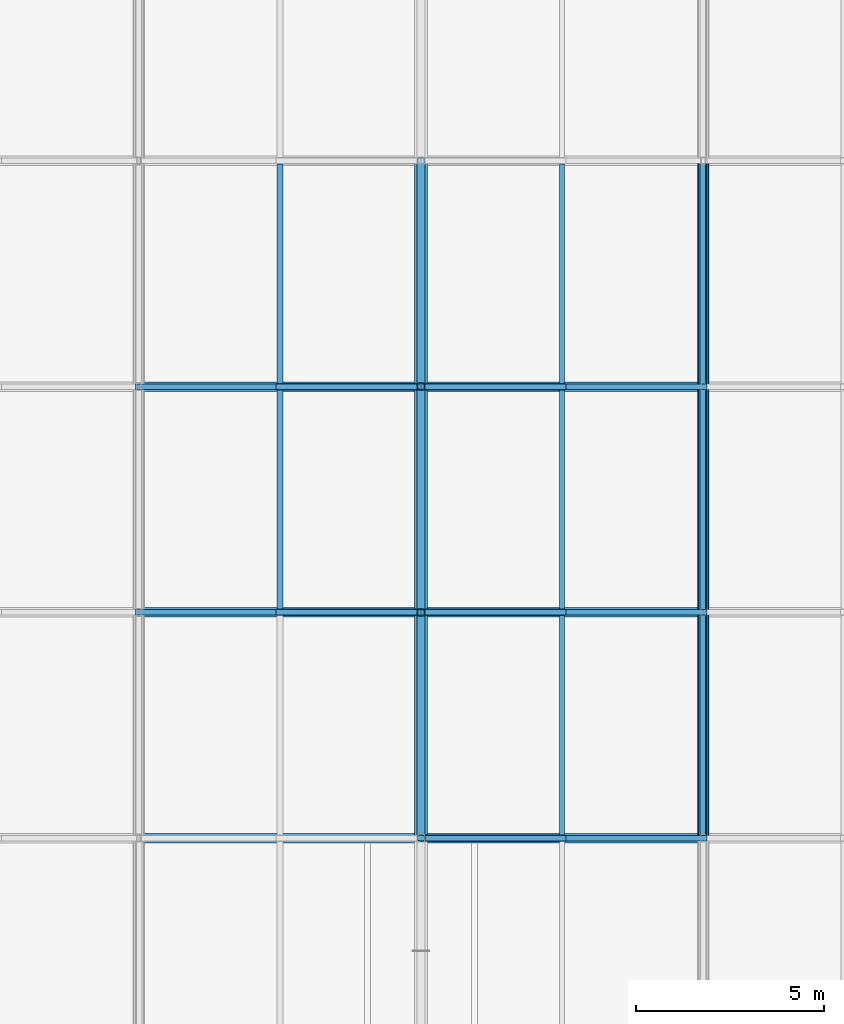
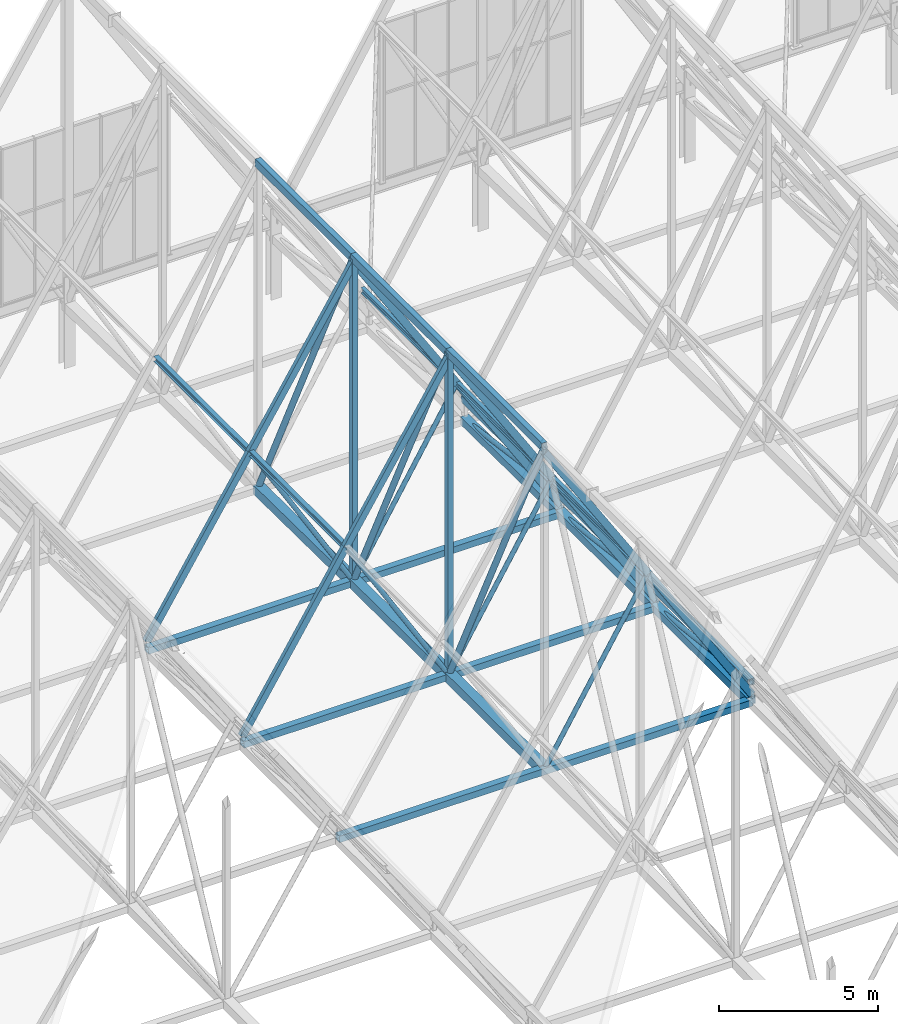
# One storey, part 106 of 324: 38 members, 5 beams.
"""IFC4 building model written with IfcOpenShell, lengths in metres."""

from ifc_helpers import new_model, si_unit, direction, frame, origin, origin_2d, place, context, subcontext, project, spatial, hollow_rectangle, hollow_circle, i_section, extrude, material, material_profile, profile_set, type_object, element, save


model = new_model("IFC4")

# Units and contexts
model_context = context("Model", 3, precision=1e-05, world=origin(), true_north=direction((0.0, 1.0)))
body_context = subcontext(model_context, "Body", "Model", "MODEL_VIEW")
ifc_project = project(units=[si_unit("LENGTHUNIT", "METRE"), si_unit("AREAUNIT", "SQUARE_METRE"), si_unit("VOLUMEUNIT", "CUBIC_METRE"), si_unit("PLANEANGLEUNIT", "RADIAN"), si_unit("MASSUNIT", "GRAM", prefix="KILO")], contexts=[model_context])

# Site, building, storey
site_placement = place(None, origin())
site = spatial("IfcSite", under=ifc_project, at=site_placement, CompositionType="ELEMENT")
building_placement = place(site_placement, origin())
building = spatial("IfcBuilding", under=site, at=building_placement, Name="Solvenia Promenade Tram Depot", CompositionType="ELEMENT")
storey_placement = place(building_placement, frame((0.0, 0.0, 4.5)))
storey = spatial("IfcBuildingStorey", under=building, at=storey_placement, Name="L01", CompositionType="ELEMENT", Elevation=4.5)

# Members
ifc_material_1 = material(Name="Structural steel ASTM A500 Gr. C", Category="steel")
ifc_material_profile_1 = material_profile(ifc_material_1, hollow_circle(Radius=0.109619140625, WallThickness=0.008056640625, at=origin_2d()), Name="CHS219.1x8", Category="steel")
ifc_profile_set_1 = profile_set([ifc_material_profile_1], Name="Structural steel ASTM A500 Gr. C")
member_type_1 = type_object("IfcMemberType", Name="Brace-CHS219x8", PredefinedType="BRACE", material=ifc_profile_set_1)
member_1_placement = place(storey_placement, frame((22.5, 102.0, 2.656005859375), z_axis=(0.0, -0.436015794582, 0.899939012864), x_axis=(1.0, 0.0, 0.0)))
element("IfcMember", 1, at=member_1_placement, inside=storey, type_object=member_type_1, Name="Arched Truss T04 Web Diagonal S06", PredefinedType="BRACE", context=body_context, shape_type="SweptSolid", body=[
    extrude(hollow_circle(Radius=0.109619140625, WallThickness=0.008056640625, at=origin_2d()), origin(), (0.0, 0.0, 1.0), 13.760986328125),
])
member_2_placement = place(storey_placement, frame((22.5, 108.0, 2.614013671875), z_axis=(0.0, -0.43482130343, 0.900516759468), x_axis=(1.0, 0.0, 0.0)))
element("IfcMember", 2, at=member_2_placement, inside=storey, type_object=member_type_1, Name="Arched Truss T04 Web Diagonal S07", PredefinedType="BRACE", context=body_context, shape_type="SweptSolid", body=[
    extrude(hollow_circle(Radius=0.109619140625, WallThickness=0.008056640625, at=origin_2d()), origin(), (0.0, 0.0, 1.0), 13.798828125),
])
member_3_placement = place(storey_placement, frame((22.5, 114.0, 2.5439453125), z_axis=(0.0, -0.432840998382, 0.901470282438), x_axis=(1.0, 0.0, 0.0)))
element("IfcMember", 3, at=member_3_placement, inside=storey, type_object=member_type_1, Name="Arched Truss T04 Web Diagonal S08", PredefinedType="BRACE", context=body_context, shape_type="SweptSolid", body=[
    extrude(hollow_circle(Radius=0.109619140625, WallThickness=0.008056640625, at=origin_2d()), origin(), (0.0, 0.0, 1.0), 13.86181640625),
])
ifc_material_profile_2 = material_profile(ifc_material_1, hollow_rectangle(XDim=0.14990234375, YDim=0.25, WallThickness=0.010009765625, at=origin_2d()), Name="HSS250x150x10", Category="steel")
ifc_profile_set_2 = profile_set([ifc_material_profile_2], Name="Structural steel ASTM A500 Gr. C")
member_type_2 = type_object("IfcMemberType", Name="Chord-HSS250x150x10", PredefinedType="CHORD", material=ifc_profile_set_2)
member_4_placement = place(storey_placement, frame((22.5, 96.0, 14.83251953125), z_axis=(0.533522444929, 0.0, -0.845785907164), x_axis=(0.0, 1.0, 0.0)))
element("IfcMember", 4, at=member_4_placement, inside=storey, type_object=member_type_2, Name="Zigzag Gable 02 East Upper Rafter", PredefinedType="CHORD", context=body_context, shape_type="SweptSolid", body=[
    extrude(hollow_rectangle(XDim=0.14990234375, YDim=0.25, WallThickness=0.010009765625, at=origin_2d()), origin(), (0.0, 0.0, 1.0), 7.02880859375),
])
for number, where, z_axis, x_axis, name in (
    (5, (26.25, 96.0, 8.8876953125), (0.533506771487, 0.0, -0.845795793781), (0.0, 1.0, 0.0), "Zigzag Gable 02 East Lower Rafter"),
    (6, (15.0, 102.0, 2.942626953125), (0.533506771487, 0.0, 0.845795793781), (0.0, 1.0, 0.0), "Zigzag Gable 02 West Lower Rafter"),
):
    element("IfcMember", number, at=place(storey_placement, frame(where, z_axis=z_axis, x_axis=x_axis)), inside=storey, type_object=member_type_2, Name=name, PredefinedType="CHORD", context=body_context, shape_type="SweptSolid", body=[
        extrude(hollow_rectangle(XDim=0.14990234375, YDim=0.25, WallThickness=0.010009765625, at=origin_2d()), origin(), (0.0, 0.0, 1.0), 7.029052734375),
    ])
for number, where, z_axis, x_axis, name in (
    (7, (18.75, 102.0, 8.8876953125), (0.533522444929, 0.0, 0.845785907164), (0.0, 1.0, 0.0), "Zigzag Gable 02 West Upper Rafter"),
    (8, (22.5, 102.0, 14.83251953125), (0.533522444929, 0.0, -0.845785907164), (0.0, 1.0, 0.0), "Zigzag Gable 02 East Upper Rafter"),
):
    element("IfcMember", number, at=place(storey_placement, frame(where, z_axis=z_axis, x_axis=x_axis)), inside=storey, type_object=member_type_2, Name=name, PredefinedType="CHORD", context=body_context, shape_type="SweptSolid", body=[
        extrude(hollow_rectangle(XDim=0.14990234375, YDim=0.25, WallThickness=0.010009765625, at=origin_2d()), origin(), (0.0, 0.0, 1.0), 7.02880859375),
    ])
for number, where, z_axis, x_axis, name in (
    (9, (26.25, 102.0, 8.8876953125), (0.533506771487, 0.0, -0.845795793781), (0.0, 1.0, 0.0), "Zigzag Gable 02 East Lower Rafter"),
    (10, (15.0, 108.0, 2.942626953125), (0.533506771487, 0.0, 0.845795793781), (0.0, 1.0, 0.0), "Zigzag Gable 02 West Lower Rafter"),
):
    element("IfcMember", number, at=place(storey_placement, frame(where, z_axis=z_axis, x_axis=x_axis)), inside=storey, type_object=member_type_2, Name=name, PredefinedType="CHORD", context=body_context, shape_type="SweptSolid", body=[
        extrude(hollow_rectangle(XDim=0.14990234375, YDim=0.25, WallThickness=0.010009765625, at=origin_2d()), origin(), (0.0, 0.0, 1.0), 7.029052734375),
    ])
for number, where, z_axis, x_axis, name in (
    (11, (18.75, 108.0, 8.8876953125), (0.533522444929, 0.0, 0.845785907164), (0.0, 1.0, 0.0), "Zigzag Gable 02 West Upper Rafter"),
    (12, (22.5, 108.0, 14.83251953125), (0.533522444929, 0.0, -0.845785907164), (0.0, 1.0, 0.0), "Zigzag Gable 02 East Upper Rafter"),
):
    element("IfcMember", number, at=place(storey_placement, frame(where, z_axis=z_axis, x_axis=x_axis)), inside=storey, type_object=member_type_2, Name=name, PredefinedType="CHORD", context=body_context, shape_type="SweptSolid", body=[
        extrude(hollow_rectangle(XDim=0.14990234375, YDim=0.25, WallThickness=0.010009765625, at=origin_2d()), origin(), (0.0, 0.0, 1.0), 7.02880859375),
    ])
member_5_placement = place(storey_placement, frame((26.25, 108.0, 8.8876953125), z_axis=(0.533506771487, 0.0, -0.845795793781), x_axis=(0.0, 1.0, 0.0)))
element("IfcMember", 13, at=member_5_placement, inside=storey, type_object=member_type_2, Name="Zigzag Gable 02 East Lower Rafter", PredefinedType="CHORD", context=body_context, shape_type="SweptSolid", body=[
    extrude(hollow_rectangle(XDim=0.14990234375, YDim=0.25, WallThickness=0.010009765625, at=origin_2d()), origin(), (0.0, 0.0, 1.0), 7.029052734375),
])
ifc_material_profile_3 = material_profile(ifc_material_1, hollow_rectangle(XDim=0.25, YDim=0.25, WallThickness=0.010009765625, at=origin_2d()), Name="HSS250x250x10", Category="steel")
ifc_profile_set_3 = profile_set([ifc_material_profile_3], Name="Structural steel ASTM A500 Gr. C")
member_type_3 = type_object("IfcMemberType", Name="Chord-HSS250x250x10", PredefinedType="CHORD", material=ifc_profile_set_3)
for number, where, z_axis, x_axis, name in (
    (14, (30.0, 96.0, 3.3798828125), (0.0, 1.0, 0.0), (-1.0, 0.0, 0.0), "Arched Truss T05 Upper Chord S06"),
    (15, (30.0, 102.0, 3.3798828125), (0.0, 1.0, 0.0), (-1.0, 0.0, 0.0), "Arched Truss T05 Upper Chord S07"),
    (16, (30.0, 108.0, 3.3798828125), (0.0, 1.0, 0.0), (-1.0, 0.0, 0.0), "Arched Truss T05 Upper Chord S08"),
):
    element("IfcMember", number, at=place(storey_placement, frame(where, z_axis=z_axis, x_axis=x_axis)), inside=storey, type_object=member_type_3, Name=name, PredefinedType="CHORD", context=body_context, shape_type="SweptSolid", body=[
        extrude(hollow_rectangle(XDim=0.25, YDim=0.25, WallThickness=0.010009765625, at=origin_2d()), origin(), (0.0, 0.0, 1.0), 6.0),
    ])
for number, where, z_axis, x_axis, name in (
    (17, (15.0, 96.0, 2.669921875), (1.0, 0.0, 0.0), (0.0, 1.0, 0.0), "Bottom-Chord Catenary Lateral Tie 014"),
    (18, (15.0, 102.0, 2.656005859375), (1.0, 0.0, 0.0), (0.0, 1.0, 0.0), "Bottom-Chord Catenary Lateral Tie 015"),
    (19, (15.0, 108.0, 2.614013671875), (1.0, 0.0, 0.0), (0.0, 1.0, 0.0), "Bottom-Chord Catenary Lateral Tie 016"),
):
    element("IfcMember", number, at=place(storey_placement, frame(where, z_axis=z_axis, x_axis=x_axis)), inside=storey, type_object=member_type_3, Name=name, PredefinedType="CHORD", context=body_context, shape_type="SweptSolid", body=[
        extrude(hollow_rectangle(XDim=0.25, YDim=0.25, WallThickness=0.010009765625, at=origin_2d()), origin(), (0.0, 0.0, 1.0), 15.0),
    ])
ifc_material_profile_4 = material_profile(ifc_material_1, hollow_rectangle(XDim=0.199951171875, YDim=0.300048828125, WallThickness=0.012451171875, at=origin_2d()), Name="HSS300x200x12.5", Category="steel")
ifc_profile_set_4 = profile_set([ifc_material_profile_4], Name="Structural steel ASTM A500 Gr. C")
member_type_4 = type_object("IfcMemberType", Name="Chord-HSS300x200x12", PredefinedType="CHORD", material=ifc_profile_set_4)
for number, where, z_axis, x_axis, name in (
    (20, (22.5, 96.0, 15.0400390625), (0.0, 1.0, 0.0), (-1.0, 0.0, 0.0), "Arched Truss T04 Upper Chord S06"),
    (21, (22.5, 102.0, 15.0400390625), (0.0, 1.0, 0.0), (-1.0, 0.0, 0.0), "Arched Truss T04 Upper Chord S07"),
    (22, (22.5, 108.0, 15.0400390625), (0.0, 1.0, 0.0), (-1.0, 0.0, 0.0), "Arched Truss T04 Upper Chord S08"),
):
    element("IfcMember", number, at=place(storey_placement, frame(where, z_axis=z_axis, x_axis=x_axis)), inside=storey, type_object=member_type_4, Name=name, PredefinedType="CHORD", context=body_context, shape_type="SweptSolid", body=[
        extrude(hollow_rectangle(XDim=0.199951171875, YDim=0.300048828125, WallThickness=0.012451171875, at=origin_2d()), origin(), (0.0, 0.0, 1.0), 6.0),
    ])
ifc_material_profile_5 = material_profile(ifc_material_1, hollow_rectangle(XDim=0.300048828125, YDim=0.300048828125, WallThickness=0.012451171875, at=origin_2d()), Name="HSS300x300x12.5", Category="steel")
ifc_profile_set_5 = profile_set([ifc_material_profile_5], Name="Structural steel ASTM A500 Gr. C")
member_type_5 = type_object("IfcMemberType", Name="Chord-HSS300x300x12", PredefinedType="CHORD", material=ifc_profile_set_5)
member_6_placement = place(storey_placement, frame((30.0, 96.0, 2.669921875), z_axis=(0.0, 0.999997310351, -0.002319329699), x_axis=(-1.0, 0.0, 0.0)))
element("IfcMember", 23, at=member_6_placement, inside=storey, type_object=member_type_5, Name="Arched Truss T05 Bottom Chord S06", PredefinedType="CHORD", context=body_context, shape_type="SweptSolid", body=[
    extrude(hollow_rectangle(XDim=0.300048828125, YDim=0.300048828125, WallThickness=0.012451171875, at=origin_2d()), origin(), (0.0, 0.0, 1.0), 6.0),
])
member_7_placement = place(storey_placement, frame((30.0, 102.0, 2.656005859375), z_axis=(0.0, 0.999975510013, -0.006998526519), x_axis=(-1.0, 0.0, 0.0)))
element("IfcMember", 24, at=member_7_placement, inside=storey, type_object=member_type_5, Name="Arched Truss T05 Bottom Chord S07", PredefinedType="CHORD", context=body_context, shape_type="SweptSolid", body=[
    extrude(hollow_rectangle(XDim=0.300048828125, YDim=0.300048828125, WallThickness=0.012451171875, at=origin_2d()), origin(), (0.0, 0.0, 1.0), 6.000244140625),
])
member_8_placement = place(storey_placement, frame((30.0, 108.0, 2.614013671875), z_axis=(0.0, 0.999931818432, -0.011677263667), x_axis=(-1.0, 0.0, 0.0)))
element("IfcMember", 25, at=member_8_placement, inside=storey, type_object=member_type_5, Name="Arched Truss T05 Bottom Chord S08", PredefinedType="CHORD", context=body_context, shape_type="SweptSolid", body=[
    extrude(hollow_rectangle(XDim=0.300048828125, YDim=0.300048828125, WallThickness=0.012451171875, at=origin_2d()), origin(), (0.0, 0.0, 1.0), 6.00048828125),
])
ifc_material_profile_6 = material_profile(ifc_material_1, hollow_rectangle(XDim=0.35009765625, YDim=0.35009765625, WallThickness=0.01611328125, at=origin_2d()), Name="HSS350x350x16", Category="steel")
ifc_profile_set_6 = profile_set([ifc_material_profile_6], Name="Structural steel ASTM A500 Gr. C")
member_type_6 = type_object("IfcMemberType", Name="Chord-HSS350x350x16", PredefinedType="CHORD", material=ifc_profile_set_6)
member_9_placement = place(storey_placement, frame((22.5, 96.0, 2.669921875), z_axis=(0.0, 0.999997310351, -0.002319329699), x_axis=(-1.0, 0.0, 0.0)))
element("IfcMember", 26, at=member_9_placement, inside=storey, type_object=member_type_6, Name="Arched Truss T04 Bottom Chord S06", PredefinedType="CHORD", context=body_context, shape_type="SweptSolid", body=[
    extrude(hollow_rectangle(XDim=0.35009765625, YDim=0.35009765625, WallThickness=0.01611328125, at=origin_2d()), origin(), (0.0, 0.0, 1.0), 6.0),
])
member_10_placement = place(storey_placement, frame((22.5, 102.0, 2.656005859375), z_axis=(0.0, 0.999975510013, -0.006998526519), x_axis=(-1.0, 0.0, 0.0)))
element("IfcMember", 27, at=member_10_placement, inside=storey, type_object=member_type_6, Name="Arched Truss T04 Bottom Chord S07", PredefinedType="CHORD", context=body_context, shape_type="SweptSolid", body=[
    extrude(hollow_rectangle(XDim=0.35009765625, YDim=0.35009765625, WallThickness=0.01611328125, at=origin_2d()), origin(), (0.0, 0.0, 1.0), 6.000244140625),
])
member_11_placement = place(storey_placement, frame((22.5, 108.0, 2.614013671875), z_axis=(0.0, 0.999931818432, -0.011677263667), x_axis=(-1.0, 0.0, 0.0)))
element("IfcMember", 28, at=member_11_placement, inside=storey, type_object=member_type_6, Name="Arched Truss T04 Bottom Chord S08", PredefinedType="CHORD", context=body_context, shape_type="SweptSolid", body=[
    extrude(hollow_rectangle(XDim=0.35009765625, YDim=0.35009765625, WallThickness=0.01611328125, at=origin_2d()), origin(), (0.0, 0.0, 1.0), 6.00048828125),
])
ifc_material_profile_7 = material_profile(ifc_material_1, hollow_rectangle(XDim=0.199951171875, YDim=0.199951171875, WallThickness=0.010009765625, at=origin_2d()), Name="HSS200x200x10", Category="steel")
ifc_profile_set_7 = profile_set([ifc_material_profile_7], Name="Structural steel ASTM A500 Gr. C")
member_type_7 = type_object("IfcMemberType", Name="Post-HSS200x200x10", PredefinedType="POST", material=ifc_profile_set_7)
member_12_placement = place(storey_placement, frame((22.5, 102.0, 2.656005859375), z_axis=(0.0, 0.0, 1.0), x_axis=(1.0, 0.0, 0.0)))
element("IfcMember", 29, at=member_12_placement, inside=storey, type_object=member_type_7, Name="Arched Truss T04 Web Post S06", PredefinedType="POST", context=body_context, shape_type="SweptSolid", body=[
    extrude(hollow_rectangle(XDim=0.199951171875, YDim=0.199951171875, WallThickness=0.010009765625, at=origin_2d()), origin(), (0.0, 0.0, 1.0), 12.384033203125),
])
member_13_placement = place(storey_placement, frame((22.5, 108.0, 2.614013671875), z_axis=(0.0, 0.0, 1.0), x_axis=(1.0, 0.0, 0.0)))
element("IfcMember", 30, at=member_13_placement, inside=storey, type_object=member_type_7, Name="Arched Truss T04 Web Post S07", PredefinedType="POST", context=body_context, shape_type="SweptSolid", body=[
    extrude(hollow_rectangle(XDim=0.199951171875, YDim=0.199951171875, WallThickness=0.010009765625, at=origin_2d()), origin(), (0.0, 0.0, 1.0), 12.426025390625),
])

# Beams
ifc_material_2 = material(Name="Structural steel ASTM A992 Gr. 50", Category="steel")
ifc_material_profile_8 = material_profile(ifc_material_2, i_section(OverallWidth=0.133056640625, OverallDepth=0.20703125, WebThickness=0.005859375, FlangeThickness=0.00830078125, FilletRadius=0.009033203125, at=origin_2d()), Name="W200x27", Category="steel")
ifc_profile_set_8 = profile_set([ifc_material_profile_8], Name="Structural steel ASTM A992 Gr. 50")
beam_type_1 = type_object("IfcBeamType", Name="Purlin-W200x27", PredefinedType="USERDEFINED", material=ifc_profile_set_8)
for number, where, z_axis, x_axis, name in (
    (31, (26.25, 96.0849609375, 8.8857421875), (0.0, 1.0, 0.0), (-1.0, 0.0, 0.0), "Gable Roof Purlin E-0032"),
    (32, (26.25, 102.0849609375, 8.8857421875), (0.0, 1.0, 0.0), (-1.0, 0.0, 0.0), "Gable Roof Purlin E-0034"),
    (33, (26.25, 108.0849609375, 8.8857421875), (0.0, 1.0, 0.0), (-1.0, 0.0, 0.0), "Gable Roof Purlin E-0036"),
):
    element("IfcBeam", number, at=place(storey_placement, frame(where, z_axis=z_axis, x_axis=x_axis)), inside=storey, type_object=beam_type_1, Name=name, ObjectType="PURLIN", PredefinedType="USERDEFINED", context=body_context, shape_type="SweptSolid", body=[
        extrude(i_section(OverallWidth=0.133056640625, OverallDepth=0.20703125, WebThickness=0.005859375, FlangeThickness=0.00830078125, FilletRadius=0.009033203125, at=origin_2d()), origin(), (0.0, 0.0, 1.0), 5.830078125),
    ])
ifc_material_profile_9 = material_profile(ifc_material_2, i_section(OverallWidth=0.1650390625, OverallDepth=0.200927734375, WebThickness=0.006103515625, FlangeThickness=0.01025390625, FilletRadius=0.010009765625, at=origin_2d()), Name="W200x36", Category="steel")
ifc_profile_set_9 = profile_set([ifc_material_profile_9], Name="Structural steel ASTM A992 Gr. 50")
beam_type_2 = type_object("IfcBeamType", Name="Purlin-W200x36", PredefinedType="USERDEFINED", material=ifc_profile_set_9)
for number, where, z_axis, x_axis, name in (
    (34, (18.75, 102.0849609375, 8.8857421875), (0.0, 1.0, 0.0), (-1.0, 0.0, 0.0), "Gable Roof Purlin W-0033"),
    (35, (18.75, 108.0849609375, 8.8857421875), (0.0, 1.0, 0.0), (-1.0, 0.0, 0.0), "Gable Roof Purlin W-0035"),
):
    element("IfcBeam", number, at=place(storey_placement, frame(where, z_axis=z_axis, x_axis=x_axis)), inside=storey, type_object=beam_type_2, Name=name, ObjectType="PURLIN", PredefinedType="USERDEFINED", context=body_context, shape_type="SweptSolid", body=[
        extrude(i_section(OverallWidth=0.1650390625, OverallDepth=0.200927734375, WebThickness=0.006103515625, FlangeThickness=0.01025390625, FilletRadius=0.010009765625, at=origin_2d()), origin(), (0.0, 0.0, 1.0), 5.830078125),
    ])

# Members
ifc_material_profile_10 = material_profile(ifc_material_1, hollow_circle(Radius=0.084228515625, WallThickness=0.008056640625, at=origin_2d()), Name="CHS168.3x8", Category="steel")
ifc_profile_set_10 = profile_set([ifc_material_profile_10], Name="Structural steel ASTM A500 Gr. C")
member_type_8 = type_object("IfcMemberType", Name="WebDiag-CHS168x8", PredefinedType="BRACE", material=ifc_profile_set_10)
member_14_placement = place(storey_placement, frame((30.0, 102.0, 2.656005859375), z_axis=(0.0, -0.992800749036, 0.119777596879), x_axis=(1.0, 0.0, 0.0)))
element("IfcMember", 36, at=member_14_placement, inside=storey, type_object=member_type_8, Name="Arched Truss T05 Web Diagonal S06", PredefinedType="BRACE", context=body_context, shape_type="SweptSolid", body=[
    extrude(hollow_circle(Radius=0.084228515625, WallThickness=0.008056640625, at=origin_2d()), origin(), (0.0, 0.0, 1.0), 6.04345703125),
])
member_15_placement = place(storey_placement, frame((30.0, 108.0, 2.614013671875), z_axis=(0.0, -0.991951613347, 0.126617521609), x_axis=(1.0, 0.0, 0.0)))
element("IfcMember", 37, at=member_15_placement, inside=storey, type_object=member_type_8, Name="Arched Truss T05 Web Diagonal S07", PredefinedType="BRACE", context=body_context, shape_type="SweptSolid", body=[
    extrude(hollow_circle(Radius=0.084228515625, WallThickness=0.008056640625, at=origin_2d()), origin(), (0.0, 0.0, 1.0), 6.048583984375),
])
member_16_placement = place(storey_placement, frame((30.0, 114.0, 2.5439453125), z_axis=(0.0, -0.990433608353, 0.13799009908), x_axis=(1.0, 0.0, 0.0)))
element("IfcMember", 38, at=member_16_placement, inside=storey, type_object=member_type_8, Name="Arched Truss T05 Web Diagonal S08", PredefinedType="BRACE", context=body_context, shape_type="SweptSolid", body=[
    extrude(hollow_circle(Radius=0.084228515625, WallThickness=0.008056640625, at=origin_2d()), origin(), (0.0, 0.0, 1.0), 6.057861328125),
])
member_17_placement = place(storey_placement, frame((22.5, 96.0, 2.669921875), z_axis=(0.516452471472, 0.0, 0.856315855693), x_axis=(0.0, 1.0, 0.0)))
element("IfcMember", 39, at=member_17_placement, inside=storey, type_object=member_type_8, Name="Zigzag Gable 02 East Knee Strut", PredefinedType="BRACE", context=body_context, shape_type="SweptSolid", body=[
    extrude(hollow_circle(Radius=0.084228515625, WallThickness=0.008056640625, at=origin_2d()), origin(), (0.0, 0.0, 1.0), 7.260986328125),
])
for number, where, z_axis, x_axis, name in (
    (40, (22.5, 102.0, 2.656005859375), (-0.515606033045, 0.0, 0.856825780826), (0.0, -1.0, 0.0), "Zigzag Gable 02 West Knee Strut"),
    (41, (22.5, 102.0, 2.656005859375), (0.515606033045, 0.0, 0.856825780826), (0.0, 1.0, 0.0), "Zigzag Gable 02 East Knee Strut"),
):
    element("IfcMember", number, at=place(storey_placement, frame(where, z_axis=z_axis, x_axis=x_axis)), inside=storey, type_object=member_type_8, Name=name, PredefinedType="BRACE", context=body_context, shape_type="SweptSolid", body=[
        extrude(hollow_circle(Radius=0.084228515625, WallThickness=0.008056640625, at=origin_2d()), origin(), (0.0, 0.0, 1.0), 7.27294921875),
    ])
for number, where, z_axis, x_axis, name in (
    (42, (22.5, 108.0, 2.614013671875), (-0.513065601132, 0.0, 0.858349397935), (0.0, -1.0, 0.0), "Zigzag Gable 02 West Knee Strut"),
    (43, (22.5, 108.0, 2.614013671875), (0.513065601132, 0.0, 0.858349397935), (0.0, 1.0, 0.0), "Zigzag Gable 02 East Knee Strut"),
):
    element("IfcMember", number, at=place(storey_placement, frame(where, z_axis=z_axis, x_axis=x_axis)), inside=storey, type_object=member_type_8, Name=name, PredefinedType="BRACE", context=body_context, shape_type="SweptSolid", body=[
        extrude(hollow_circle(Radius=0.084228515625, WallThickness=0.008056640625, at=origin_2d()), origin(), (0.0, 0.0, 1.0), 7.30908203125),
    ])

save(model, "model.ifc")
